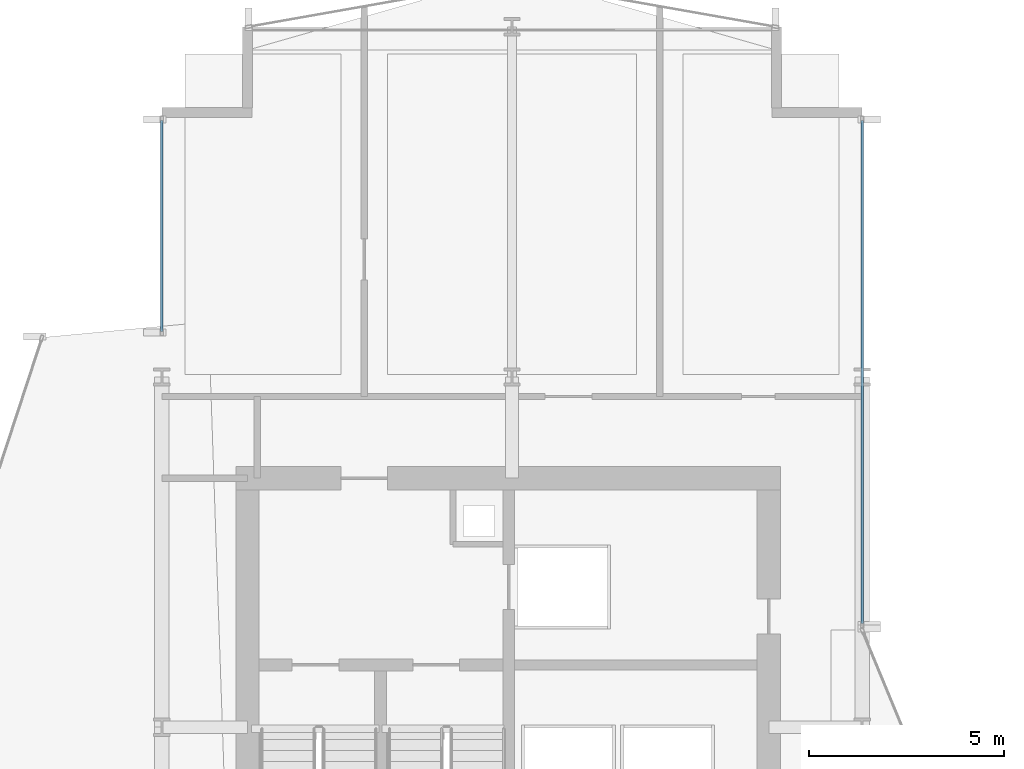
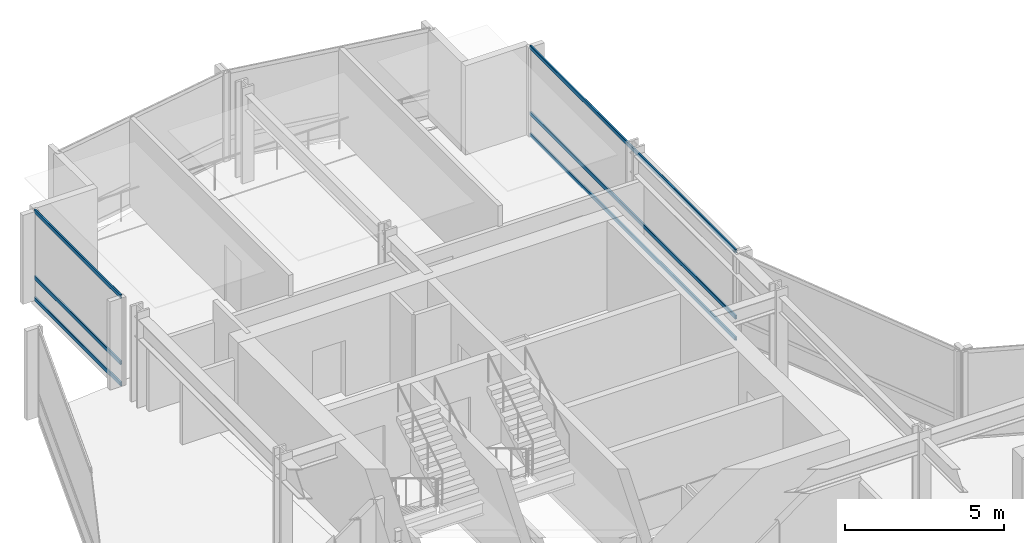
# One storey, part 22 of 34: 6 members, 2 elements without a shape of their own.
"""IFC4 building model written with IfcOpenShell, lengths in metres."""

from ifc_helpers import new_model, si_unit, direction, frame, origin, origin_2d, place, context, subcontext, project, spatial, hollow_rectangle, extrude, material, layer, layer_set, material_profile, profile_set, type_object, element, aggregate, save


model = new_model("IFC4")

# Units and contexts
model_context = context("Model", 3, precision=1e-05, world=origin(), true_north=direction((0.0, 1.0)))
body_context = subcontext(model_context, "Body", "Model", "MODEL_VIEW")
ifc_project = project(units=[si_unit("LENGTHUNIT", "METRE"), si_unit("AREAUNIT", "SQUARE_METRE"), si_unit("VOLUMEUNIT", "CUBIC_METRE"), si_unit("PLANEANGLEUNIT", "RADIAN"), si_unit("MASSUNIT", "GRAM", prefix="KILO")], contexts=[model_context])

# Site, building, storey
site_placement = place(None, origin())
site = spatial("IfcSite", under=ifc_project, at=site_placement, CompositionType="ELEMENT")
building_placement = place(site_placement, origin())
building = spatial("IfcBuilding", under=site, at=building_placement, Name="Solvaryn Broadcast Tower", CompositionType="ELEMENT")
storey_placement = place(building_placement, frame((0.0, 0.0, 69.300048828125)))
storey = spatial("IfcBuildingStorey", under=building, at=storey_placement, Name="L16", CompositionType="ELEMENT", Elevation=69.300048828125)

# Curtain wall, members
ifc_material_1 = material(Name="Aluminium and Terracotta Unitised Curtain Wall", Category="masonry")
ifc_layer = layer(ifc_material_1, 0.199951171875)
ifc_layer_set = layer_set([ifc_layer], Name="CW-SYS2-LOWMID")
curtain_wall_type = type_object("IfcCurtainWallType", Name="CW-SYS2-LOWMID", PredefinedType="NOTDEFINED", material=ifc_layer_set)
curtain_wall_1_placement = place(storey_placement, origin())
curtain_wall_1 = element("IfcCurtainWall", 1, at=curtain_wall_1_placement, inside=storey, type_object=curtain_wall_type, Name="L16 Curtain Wall W2", PredefinedType="NOTDEFINED")
ifc_material_2 = material(Name="Anodised Aluminium 6063-T6", Category="aluminium")
ifc_material_profile = material_profile(ifc_material_2, hollow_rectangle(XDim=0.06494140625, YDim=0.14990234375, WallThickness=0.00390625, InnerFilletRadius=0.00390625, OuterFilletRadius=0.008056640625, at=origin_2d()))
ifc_profile_set = profile_set([ifc_material_profile], Name="Anodised Aluminium 6063-T6")
member_type = type_object("IfcMemberType", Name="CW-TRN-150", PredefinedType="USERDEFINED", material=ifc_profile_set)
member_1_placement = place(storey_placement, frame((9.0, 46.176025390625, 0.030029296875), z_axis=(0.0, 1.0, 0.0), x_axis=(-1.0, 0.0, 0.0)))
member_1 = element("IfcMember", 2, at=member_1_placement, type_object=member_type, Name="CWS2 transom 1.1", ObjectType="TRANSOM", PredefinedType="USERDEFINED", context=body_context, shape_type="SweptSolid", body=[
    extrude(hollow_rectangle(XDim=0.06494140625, YDim=0.14990234375, WallThickness=0.00390625, InnerFilletRadius=0.00390625, OuterFilletRadius=0.008056640625, at=origin_2d()), origin(), (0.0, 0.0, 1.0), 5.4140625),
])
member_2_placement = place(storey_placement, frame((9.0, 46.176025390625, 0.849853515625), z_axis=(0.0, 1.0, 0.0), x_axis=(-1.0, 0.0, 0.0)))
member_2 = element("IfcMember", 3, at=member_2_placement, type_object=member_type, Name="CWS2 transom 1.2", ObjectType="TRANSOM", PredefinedType="USERDEFINED", context=body_context, shape_type="SweptSolid", body=[
    extrude(hollow_rectangle(XDim=0.06494140625, YDim=0.14990234375, WallThickness=0.00390625, InnerFilletRadius=0.00390625, OuterFilletRadius=0.008056640625, at=origin_2d()), origin(), (0.0, 0.0, 1.0), 5.4140625),
])
member_3_placement = place(storey_placement, frame((9.0, 46.176025390625, 3.389892578125), z_axis=(0.0, 1.0, 0.0), x_axis=(-1.0, 0.0, 0.0)))
member_3 = element("IfcMember", 4, at=member_3_placement, type_object=member_type, Name="CWS2 transom 1.3", ObjectType="TRANSOM", PredefinedType="USERDEFINED", context=body_context, shape_type="SweptSolid", body=[
    extrude(hollow_rectangle(XDim=0.06494140625, YDim=0.14990234375, WallThickness=0.00390625, InnerFilletRadius=0.00390625, OuterFilletRadius=0.008056640625, at=origin_2d()), origin(), (0.0, 0.0, 1.0), 5.4140625),
])
aggregate(curtain_wall_1, [member_1, member_2, member_3])

curtain_wall_2_placement = place(storey_placement, origin())
curtain_wall_2 = element("IfcCurtainWall", 5, at=curtain_wall_2_placement, inside=storey, type_object=curtain_wall_type, Name="L16 Curtain Wall IV", PredefinedType="NOTDEFINED")
member_4_placement = place(storey_placement, frame((27.0, 51.590087890625, 0.030029296875), z_axis=(0.0, -1.0, 0.0), x_axis=(1.0, 0.0, 0.0)))
member_4 = element("IfcMember", 6, at=member_4_placement, type_object=member_type, Name="CWS2 transom 1.1", ObjectType="TRANSOM", PredefinedType="USERDEFINED", context=body_context, shape_type="SweptSolid", body=[
    extrude(hollow_rectangle(XDim=0.06494140625, YDim=0.14990234375, WallThickness=0.00390625, InnerFilletRadius=0.00390625, OuterFilletRadius=0.008056640625, at=origin_2d()), origin(), (0.0, 0.0, 1.0), 12.93017578125),
])
member_5_placement = place(storey_placement, frame((27.0, 51.590087890625, 0.849853515625), z_axis=(0.0, -1.0, 0.0), x_axis=(1.0, 0.0, 0.0)))
member_5 = element("IfcMember", 7, at=member_5_placement, type_object=member_type, Name="CWS2 transom 1.2", ObjectType="TRANSOM", PredefinedType="USERDEFINED", context=body_context, shape_type="SweptSolid", body=[
    extrude(hollow_rectangle(XDim=0.06494140625, YDim=0.14990234375, WallThickness=0.00390625, InnerFilletRadius=0.00390625, OuterFilletRadius=0.008056640625, at=origin_2d()), origin(), (0.0, 0.0, 1.0), 12.93017578125),
])
member_6_placement = place(storey_placement, frame((27.0, 51.590087890625, 3.389892578125), z_axis=(0.0, -1.0, 0.0), x_axis=(1.0, 0.0, 0.0)))
member_6 = element("IfcMember", 8, at=member_6_placement, type_object=member_type, Name="CWS2 transom 1.3", ObjectType="TRANSOM", PredefinedType="USERDEFINED", context=body_context, shape_type="SweptSolid", body=[
    extrude(hollow_rectangle(XDim=0.06494140625, YDim=0.14990234375, WallThickness=0.00390625, InnerFilletRadius=0.00390625, OuterFilletRadius=0.008056640625, at=origin_2d()), origin(), (0.0, 0.0, 1.0), 12.93017578125),
])
aggregate(curtain_wall_2, [member_4, member_5, member_6])

save(model, "model.ifc")
